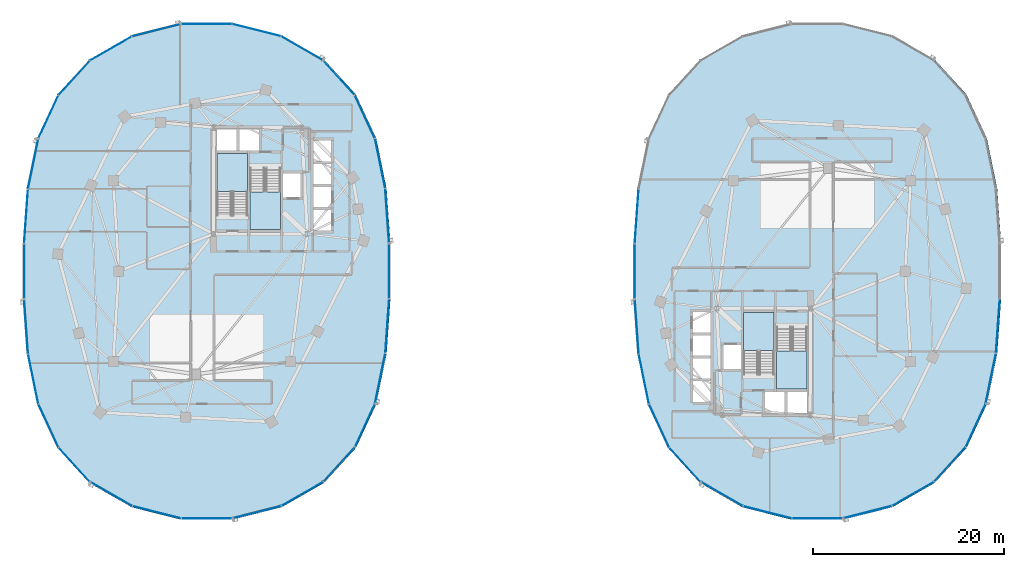
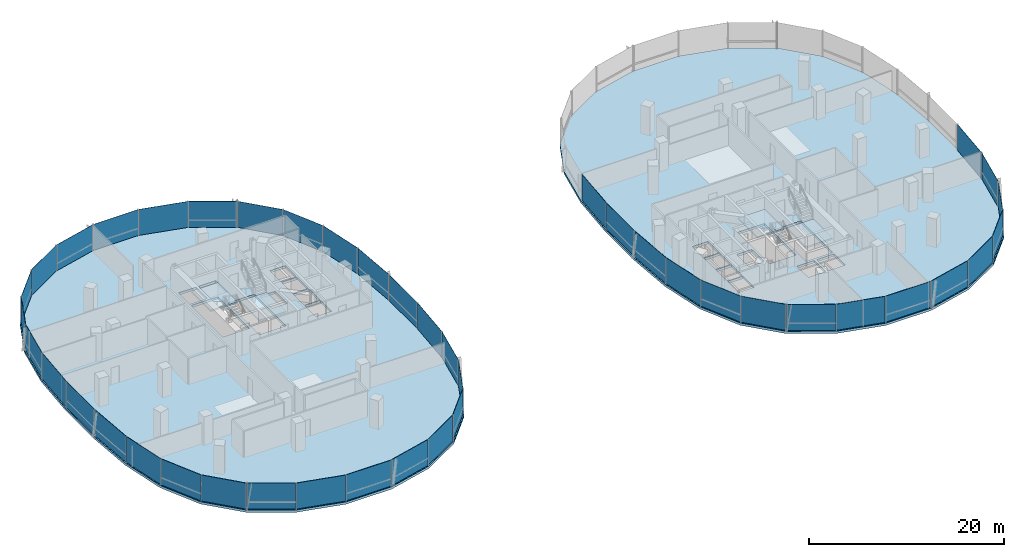
# One storey, part 9 of 21: 43 plates, 6 slabs, 11 elements without a shape of their own.
"""IFC4 building model written with IfcOpenShell, lengths in metres."""

from ifc_helpers import new_model, si_unit, direction, frame, origin, origin_2d, place, context, subcontext, project, spatial, polyline, rectangle, outline, extrude, material, layer, layer_set, type_object, element, aggregate, save


model = new_model("IFC4")

# Units and contexts
model_context = context("Model", 3, precision=1e-05, world=origin(), true_north=direction((0.0, 1.0)))
body_context = subcontext(model_context, "Body", "Model", "MODEL_VIEW")
ifc_project = project(units=[si_unit("LENGTHUNIT", "METRE"), si_unit("AREAUNIT", "SQUARE_METRE"), si_unit("VOLUMEUNIT", "CUBIC_METRE"), si_unit("PLANEANGLEUNIT", "RADIAN"), si_unit("MASSUNIT", "GRAM", prefix="KILO"), si_unit("THERMODYNAMICTEMPERATUREUNIT", "KELVIN"), si_unit("POWERUNIT", "WATT")], contexts=[model_context])

# Site, building, storey
site_placement = place(None, origin())
site = spatial("IfcSite", under=ifc_project, at=site_placement, CompositionType="ELEMENT")
building_placement = place(site_placement, origin())
building = spatial("IfcBuilding", under=site, at=building_placement, Name="Cundina Bronze Exchange", CompositionType="ELEMENT")
storey_placement = place(building_placement, frame((0.0, 0.0, 103.39990234375)))
storey = spatial("IfcBuildingStorey", under=building, at=storey_placement, Name="L26", CompositionType="ELEMENT", Elevation=103.39990234375)

# Curtain wall, plates
ifc_material_1 = material(Name="Anodised Bronze Aluminium 6063-T6", Category="aluminium")
curtain_wall_type = type_object("IfcCurtainWallType", Name="CWS-TRD-MID", PredefinedType="NOTDEFINED", material=ifc_material_1)
curtain_wall_1_placement = place(storey_placement, origin())
curtain_wall_1 = element("IfcCurtainWall", 1, at=curtain_wall_1_placement, inside=storey, type_object=curtain_wall_type, Name="L26 CW-03 Curtain Wall Run CWR-L26-W1", PredefinedType="NOTDEFINED")
ifc_material_2 = material(Name="Heat-Strengthened Solar-Control Bronze Safety Glass 28mm", Category="glass")
ifc_layer_1 = layer(ifc_material_2, 0.028076171875, Name="Heat-Strengthened Solar-Control Bronze Safety Glass 28mm", Category="glass")
ifc_layer_set_1 = layer_set([ifc_layer_1], Name="Heat-Strengthened Solar-Control Bronze Safety Glass 28mm")
plate_type_1 = type_object("IfcPlateType", Name="PLT-GLZ-VIS28", PredefinedType="CURTAIN_PANEL", material=ifc_layer_set_1)
plate_1_placement = place(storey_placement, frame((-13.0732421875, 5.783935546875, 0.02001953125), z_axis=(0.0, 0.0, 1.0), x_axis=(-0.070278787473, 0.997527389113, 0.0)))
plate_1 = element("IfcPlate", 2, at=plate_1_placement, type_object=plate_type_1, Name="CW-03 Glazed Panel 1", PredefinedType="CURTAIN_PANEL", context=body_context, shape_type="SweptSolid", body=[
    extrude(rectangle(XDim=5.644287109375, YDim=0.028076171875, at=origin_2d()), origin(), (0.0, 0.0, 1.0), 3.260009765625),
])
plate_2_placement = place(storey_placement, frame((-13.81591796875, 11.269775390625, 0.02001953125), z_axis=(0.0, 0.0, 1.0), x_axis=(-0.201419845156, 0.979505000486, 0.0)))
plate_2 = element("IfcPlate", 3, at=plate_2_placement, type_object=plate_type_1, Name="CW-03 Glazed Panel 2", PredefinedType="CURTAIN_PANEL", context=body_context, shape_type="SweptSolid", body=[
    extrude(rectangle(XDim=5.306640625, YDim=0.028076171875, at=origin_2d()), origin(), (0.0, 0.0, 1.0), 3.260009765625),
])
plate_3_placement = place(storey_placement, frame((-15.413818359375, 16.177734375, 0.02001953125), z_axis=(0.0, 0.0, 1.0), x_axis=(-0.42084583328, 0.907132175932, 0.0)))
plate_3 = element("IfcPlate", 4, at=plate_3_placement, type_object=plate_type_1, Name="CW-03 Glazed Panel 3", PredefinedType="CURTAIN_PANEL", context=body_context, shape_type="SweptSolid", body=[
    extrude(rectangle(XDim=4.966552734375, YDim=0.028076171875, at=origin_2d()), origin(), (0.0, 0.0, 1.0), 3.260009765625),
])
plate_4_placement = place(storey_placement, frame((-21.980712890625, 23.34423828125, 0.02001953125), z_axis=(0.0, 0.0, 1.0), x_axis=(-0.867105478933, 0.498124571171, 0.0)))
plate_4 = element("IfcPlate", 5, at=plate_4_placement, type_object=plate_type_1, Name="CW-03 Glazed Panel 5", PredefinedType="CURTAIN_PANEL", context=body_context, shape_type="SweptSolid", body=[
    extrude(rectangle(XDim=5.021240234375, YDim=0.028076171875, at=origin_2d()), origin(), (0.0, 0.0, 1.0), 3.260009765625),
])
plate_5_placement = place(storey_placement, frame((-26.744384765625, 25.256591796875, 0.02001953125), z_axis=(0.0, 0.0, 1.0), x_axis=(-0.969488149345, 0.245138182011, 0.0)))
plate_5 = element("IfcPlate", 6, at=plate_5_placement, type_object=plate_type_1, Name="CW-03 Glazed Panel 6", PredefinedType="CURTAIN_PANEL", context=body_context, shape_type="SweptSolid", body=[
    extrude(rectangle(XDim=5.2333984375, YDim=0.028076171875, at=origin_2d()), origin(), (0.0, 0.0, 1.0), 3.260009765625),
])
plate_6_placement = place(storey_placement, frame((-32.0, 25.905029296875, 0.02001953125), z_axis=(0.0, 0.0, 1.0), x_axis=(-1.0, 0.0, 0.0)))
plate_6 = element("IfcPlate", 7, at=plate_6_placement, type_object=plate_type_1, Name="CW-03 Glazed Panel 7", PredefinedType="CURTAIN_PANEL", context=body_context, shape_type="SweptSolid", body=[
    extrude(rectangle(XDim=5.323974609375, YDim=0.028076171875, at=origin_2d()), origin(), (0.0, 0.0, 1.0), 3.260009765625),
])

curtain_wall_2_placement = place(storey_placement, origin())
curtain_wall_2 = element("IfcCurtainWall", 8, at=curtain_wall_2_placement, inside=storey, type_object=curtain_wall_type, Name="L26 CW-03 Curtain Wall Run CWR-L26-W2", PredefinedType="NOTDEFINED")
plate_7_placement = place(storey_placement, frame((-37.255615234375, 25.256591796875, 0.02001953125), z_axis=(0.0, 0.0, 1.0), x_axis=(-0.969488149345, -0.245138182011, 0.0)))
plate_7 = element("IfcPlate", 9, at=plate_7_placement, type_object=plate_type_1, Name="CW-03 Glazed Panel 1", PredefinedType="CURTAIN_PANEL", context=body_context, shape_type="SweptSolid", body=[
    extrude(rectangle(XDim=5.2333984375, YDim=0.028076171875, at=origin_2d()), origin(), (0.0, 0.0, 1.0), 3.260009765625),
])
plate_8_placement = place(storey_placement, frame((-42.019287109375, 23.34423828125, 0.02001953125), z_axis=(0.0, 0.0, 1.0), x_axis=(-0.867105478933, -0.498124571171, 0.0)))
plate_8 = element("IfcPlate", 10, at=plate_8_placement, type_object=plate_type_1, Name="CW-03 Glazed Panel 2", PredefinedType="CURTAIN_PANEL", context=body_context, shape_type="SweptSolid", body=[
    extrude(rectangle(XDim=5.021240234375, YDim=0.028076171875, at=origin_2d()), origin(), (0.0, 0.0, 1.0), 3.260009765625),
])
plate_9_placement = place(storey_placement, frame((-48.586181640625, 16.177734375, 0.02001953125), z_axis=(0.0, 0.0, 1.0), x_axis=(-0.42084583328, -0.907132175932, 0.0)))
plate_9 = element("IfcPlate", 11, at=plate_9_placement, type_object=plate_type_1, Name="CW-03 Glazed Panel 4", PredefinedType="CURTAIN_PANEL", context=body_context, shape_type="SweptSolid", body=[
    extrude(rectangle(XDim=4.966552734375, YDim=0.028076171875, at=origin_2d()), origin(), (0.0, 0.0, 1.0), 3.260009765625),
])
plate_10_placement = place(storey_placement, frame((-50.18408203125, 11.269775390625, 0.02001953125), z_axis=(0.0, 0.0, 1.0), x_axis=(-0.201419845156, -0.979505000486, 0.0)))
plate_10 = element("IfcPlate", 12, at=plate_10_placement, type_object=plate_type_1, Name="CW-03 Glazed Panel 5", PredefinedType="CURTAIN_PANEL", context=body_context, shape_type="SweptSolid", body=[
    extrude(rectangle(XDim=5.306640625, YDim=0.028076171875, at=origin_2d()), origin(), (0.0, 0.0, 1.0), 3.260009765625),
])
plate_11_placement = place(storey_placement, frame((-50.9267578125, 5.783935546875, 0.02001953125), z_axis=(0.0, 0.0, 1.0), x_axis=(-0.070278787473, -0.997527389113, 0.0)))
plate_11 = element("IfcPlate", 13, at=plate_11_placement, type_object=plate_type_1, Name="CW-03 Glazed Panel 6", PredefinedType="CURTAIN_PANEL", context=body_context, shape_type="SweptSolid", body=[
    extrude(rectangle(XDim=5.644287109375, YDim=0.028076171875, at=origin_2d()), origin(), (0.0, 0.0, 1.0), 3.260009765625),
])
plate_12_placement = place(storey_placement, frame((-51.1279296875, 0.0, 0.02001953125), z_axis=(0.0, 0.0, 1.0), x_axis=(0.0, -1.0, 0.0)))
plate_12 = element("IfcPlate", 14, at=plate_12_placement, type_object=plate_type_1, Name="CW-03 Glazed Panel 7", PredefinedType="CURTAIN_PANEL", context=body_context, shape_type="SweptSolid", body=[
    extrude(rectangle(XDim=5.77587890625, YDim=0.028076171875, at=origin_2d()), origin(), (0.0, 0.0, 1.0), 3.260009765625),
])

curtain_wall_3_placement = place(storey_placement, origin())
curtain_wall_3 = element("IfcCurtainWall", 15, at=curtain_wall_3_placement, inside=storey, type_object=curtain_wall_type, Name="L26 CW-03 Curtain Wall Run CWR-L26-W3", PredefinedType="NOTDEFINED")
plate_13_placement = place(storey_placement, frame((-50.9267578125, -5.783935546875, 0.02001953125), z_axis=(0.0, 0.0, 1.0), x_axis=(0.070278787473, -0.997527389113, 0.0)))
plate_13 = element("IfcPlate", 16, at=plate_13_placement, type_object=plate_type_1, Name="CW-03 Glazed Panel 1", PredefinedType="CURTAIN_PANEL", context=body_context, shape_type="SweptSolid", body=[
    extrude(rectangle(XDim=5.644287109375, YDim=0.028076171875, at=origin_2d()), origin(), (0.0, 0.0, 1.0), 3.260009765625),
])
plate_14_placement = place(storey_placement, frame((-48.586181640625, -16.177734375, 0.02001953125), z_axis=(0.0, 0.0, 1.0), x_axis=(0.42084583328, -0.907132175932, 0.0)))
plate_14 = element("IfcPlate", 17, at=plate_14_placement, type_object=plate_type_1, Name="CW-03 Glazed Panel 3", PredefinedType="CURTAIN_PANEL", context=body_context, shape_type="SweptSolid", body=[
    extrude(rectangle(XDim=4.966552734375, YDim=0.028076171875, at=origin_2d()), origin(), (0.0, 0.0, 1.0), 3.260009765625),
])
plate_15_placement = place(storey_placement, frame((-45.8740234375, -20.267333984375, 0.02001953125), z_axis=(0.0, 0.0, 1.0), x_axis=(0.674276610219, -0.73847887777, 0.0)))
plate_15 = element("IfcPlate", 18, at=plate_15_placement, type_object=plate_type_1, Name="CW-03 Glazed Panel 4", PredefinedType="CURTAIN_PANEL", context=body_context, shape_type="SweptSolid", body=[
    extrude(rectangle(XDim=4.86328125, YDim=0.028076171875, at=origin_2d()), origin(), (0.0, 0.0, 1.0), 3.260009765625),
])
plate_16_placement = place(storey_placement, frame((-42.019287109375, -23.34423828125, 0.02001953125), z_axis=(0.0, 0.0, 1.0), x_axis=(0.867105478933, -0.498124571171, 0.0)))
plate_16 = element("IfcPlate", 19, at=plate_16_placement, type_object=plate_type_1, Name="CW-03 Glazed Panel 5", PredefinedType="CURTAIN_PANEL", context=body_context, shape_type="SweptSolid", body=[
    extrude(rectangle(XDim=5.021240234375, YDim=0.028076171875, at=origin_2d()), origin(), (0.0, 0.0, 1.0), 3.260009765625),
])
plate_17_placement = place(storey_placement, frame((-37.255615234375, -25.256591796875, 0.02001953125), z_axis=(0.0, 0.0, 1.0), x_axis=(0.969488149345, -0.245138182011, 0.0)))
plate_17 = element("IfcPlate", 20, at=plate_17_placement, type_object=plate_type_1, Name="CW-03 Glazed Panel 6", PredefinedType="CURTAIN_PANEL", context=body_context, shape_type="SweptSolid", body=[
    extrude(rectangle(XDim=5.2333984375, YDim=0.028076171875, at=origin_2d()), origin(), (0.0, 0.0, 1.0), 3.260009765625),
])

curtain_wall_4_placement = place(storey_placement, origin())
curtain_wall_4 = element("IfcCurtainWall", 21, at=curtain_wall_4_placement, inside=storey, type_object=curtain_wall_type, Name="L26 CW-03 Curtain Wall Run CWR-L26-W4", PredefinedType="NOTDEFINED")
plate_18_placement = place(storey_placement, frame((-21.980712890625, -23.34423828125, 0.02001953125), z_axis=(0.0, 0.0, 1.0), x_axis=(0.867105478933, 0.498124571171, 0.0)))
plate_18 = element("IfcPlate", 22, at=plate_18_placement, type_object=plate_type_1, Name="CW-03 Glazed Panel 2", PredefinedType="CURTAIN_PANEL", context=body_context, shape_type="SweptSolid", body=[
    extrude(rectangle(XDim=5.021240234375, YDim=0.028076171875, at=origin_2d()), origin(), (0.0, 0.0, 1.0), 3.260009765625),
])
plate_19_placement = place(storey_placement, frame((-18.1259765625, -20.267333984375, 0.02001953125), z_axis=(0.0, 0.0, 1.0), x_axis=(0.674276610219, 0.73847887777, 0.0)))
plate_19 = element("IfcPlate", 23, at=plate_19_placement, type_object=plate_type_1, Name="CW-03 Glazed Panel 3", PredefinedType="CURTAIN_PANEL", context=body_context, shape_type="SweptSolid", body=[
    extrude(rectangle(XDim=4.86328125, YDim=0.028076171875, at=origin_2d()), origin(), (0.0, 0.0, 1.0), 3.260009765625),
])
plate_20_placement = place(storey_placement, frame((-15.413818359375, -16.177734375, 0.02001953125), z_axis=(0.0, 0.0, 1.0), x_axis=(0.42084583328, 0.907132175932, 0.0)))
plate_20 = element("IfcPlate", 24, at=plate_20_placement, type_object=plate_type_1, Name="CW-03 Glazed Panel 4", PredefinedType="CURTAIN_PANEL", context=body_context, shape_type="SweptSolid", body=[
    extrude(rectangle(XDim=4.966552734375, YDim=0.028076171875, at=origin_2d()), origin(), (0.0, 0.0, 1.0), 3.260009765625),
])
plate_21_placement = place(storey_placement, frame((-13.81591796875, -11.269775390625, 0.02001953125), z_axis=(0.0, 0.0, 1.0), x_axis=(0.201419845156, 0.979505000486, 0.0)))
plate_21 = element("IfcPlate", 25, at=plate_21_placement, type_object=plate_type_1, Name="CW-03 Glazed Panel 5", PredefinedType="CURTAIN_PANEL", context=body_context, shape_type="SweptSolid", body=[
    extrude(rectangle(XDim=5.306640625, YDim=0.028076171875, at=origin_2d()), origin(), (0.0, 0.0, 1.0), 3.260009765625),
])
plate_22_placement = place(storey_placement, frame((-12.8720703125, 0.0, 0.02001953125), z_axis=(0.0, 0.0, 1.0), x_axis=(0.0, 1.0, 0.0)))
plate_22 = element("IfcPlate", 26, at=plate_22_placement, type_object=plate_type_1, Name="CW-03 Glazed Panel 7", PredefinedType="CURTAIN_PANEL", context=body_context, shape_type="SweptSolid", body=[
    extrude(rectangle(XDim=5.77587890625, YDim=0.028076171875, at=origin_2d()), origin(), (0.0, 0.0, 1.0), 3.260009765625),
])

curtain_wall_5_placement = place(storey_placement, origin())
curtain_wall_5 = element("IfcCurtainWall", 27, at=curtain_wall_5_placement, inside=storey, type_object=curtain_wall_type, Name="L26 CW-03 Curtain Wall Run CWR-L26-E2", PredefinedType="NOTDEFINED")
plate_23_placement = place(storey_placement, frame((13.0732421875, 5.783935546875, 0.02001953125), z_axis=(0.0, 0.0, 1.0), x_axis=(-0.070278787473, -0.997527389113, 0.0)))
plate_23 = element("IfcPlate", 28, at=plate_23_placement, type_object=plate_type_1, Name="CW-03 Glazed Panel 6", PredefinedType="CURTAIN_PANEL", context=body_context, shape_type="SweptSolid", body=[
    extrude(rectangle(XDim=5.644287109375, YDim=0.028076171875, at=origin_2d()), origin(), (0.0, 0.0, 1.0), 3.260009765625),
])
plate_24_placement = place(storey_placement, frame((12.8720703125, 0.0, 0.02001953125), z_axis=(0.0, 0.0, 1.0), x_axis=(0.0, -1.0, 0.0)))
plate_24 = element("IfcPlate", 29, at=plate_24_placement, type_object=plate_type_1, Name="CW-03 Glazed Panel 7", PredefinedType="CURTAIN_PANEL", context=body_context, shape_type="SweptSolid", body=[
    extrude(rectangle(XDim=5.77587890625, YDim=0.028076171875, at=origin_2d()), origin(), (0.0, 0.0, 1.0), 3.260009765625),
])
aggregate(curtain_wall_5, [plate_23, plate_24])

curtain_wall_6_placement = place(storey_placement, origin())
curtain_wall_6 = element("IfcCurtainWall", 30, at=curtain_wall_6_placement, inside=storey, type_object=curtain_wall_type, Name="L26 CW-03 Curtain Wall Run CWR-L26-E3", PredefinedType="NOTDEFINED")
plate_25_placement = place(storey_placement, frame((13.0732421875, -5.783935546875, 0.02001953125), z_axis=(0.0, 0.0, 1.0), x_axis=(0.070278787473, -0.997527389113, 0.0)))
plate_25 = element("IfcPlate", 31, at=plate_25_placement, type_object=plate_type_1, Name="CW-03 Glazed Panel 1", PredefinedType="CURTAIN_PANEL", context=body_context, shape_type="SweptSolid", body=[
    extrude(rectangle(XDim=5.644287109375, YDim=0.028076171875, at=origin_2d()), origin(), (0.0, 0.0, 1.0), 3.260009765625),
])
plate_26_placement = place(storey_placement, frame((15.413818359375, -16.177734375, 0.02001953125), z_axis=(0.0, 0.0, 1.0), x_axis=(0.42084583328, -0.907132175932, 0.0)))
plate_26 = element("IfcPlate", 32, at=plate_26_placement, type_object=plate_type_1, Name="CW-03 Glazed Panel 3", PredefinedType="CURTAIN_PANEL", context=body_context, shape_type="SweptSolid", body=[
    extrude(rectangle(XDim=4.966552734375, YDim=0.028076171875, at=origin_2d()), origin(), (0.0, 0.0, 1.0), 3.260009765625),
])
plate_27_placement = place(storey_placement, frame((18.1259765625, -20.267333984375, 0.02001953125), z_axis=(0.0, 0.0, 1.0), x_axis=(0.674276610219, -0.73847887777, 0.0)))
plate_27 = element("IfcPlate", 33, at=plate_27_placement, type_object=plate_type_1, Name="CW-03 Glazed Panel 4", PredefinedType="CURTAIN_PANEL", context=body_context, shape_type="SweptSolid", body=[
    extrude(rectangle(XDim=4.86328125, YDim=0.028076171875, at=origin_2d()), origin(), (0.0, 0.0, 1.0), 3.260009765625),
])
plate_28_placement = place(storey_placement, frame((21.980712890625, -23.34423828125, 0.02001953125), z_axis=(0.0, 0.0, 1.0), x_axis=(0.867105478933, -0.498124571171, 0.0)))
plate_28 = element("IfcPlate", 34, at=plate_28_placement, type_object=plate_type_1, Name="CW-03 Glazed Panel 5", PredefinedType="CURTAIN_PANEL", context=body_context, shape_type="SweptSolid", body=[
    extrude(rectangle(XDim=5.021240234375, YDim=0.028076171875, at=origin_2d()), origin(), (0.0, 0.0, 1.0), 3.260009765625),
])
plate_29_placement = place(storey_placement, frame((26.744384765625, -25.256591796875, 0.02001953125), z_axis=(0.0, 0.0, 1.0), x_axis=(0.969488149345, -0.245138182011, 0.0)))
plate_29 = element("IfcPlate", 35, at=plate_29_placement, type_object=plate_type_1, Name="CW-03 Glazed Panel 6", PredefinedType="CURTAIN_PANEL", context=body_context, shape_type="SweptSolid", body=[
    extrude(rectangle(XDim=5.2333984375, YDim=0.028076171875, at=origin_2d()), origin(), (0.0, 0.0, 1.0), 3.260009765625),
])

curtain_wall_7_placement = place(storey_placement, origin())
curtain_wall_7 = element("IfcCurtainWall", 36, at=curtain_wall_7_placement, inside=storey, type_object=curtain_wall_type, Name="L26 CW-03 Curtain Wall Run CWR-L26-E4", PredefinedType="NOTDEFINED")
plate_30_placement = place(storey_placement, frame((42.019287109375, -23.34423828125, 0.02001953125), z_axis=(0.0, 0.0, 1.0), x_axis=(0.867105478933, 0.498124571171, 0.0)))
plate_30 = element("IfcPlate", 37, at=plate_30_placement, type_object=plate_type_1, Name="CW-03 Glazed Panel 2", PredefinedType="CURTAIN_PANEL", context=body_context, shape_type="SweptSolid", body=[
    extrude(rectangle(XDim=5.021240234375, YDim=0.028076171875, at=origin_2d()), origin(), (0.0, 0.0, 1.0), 3.260009765625),
])
plate_31_placement = place(storey_placement, frame((45.8740234375, -20.267333984375, 0.02001953125), z_axis=(0.0, 0.0, 1.0), x_axis=(0.674276610219, 0.73847887777, 0.0)))
plate_31 = element("IfcPlate", 38, at=plate_31_placement, type_object=plate_type_1, Name="CW-03 Glazed Panel 3", PredefinedType="CURTAIN_PANEL", context=body_context, shape_type="SweptSolid", body=[
    extrude(rectangle(XDim=4.86328125, YDim=0.028076171875, at=origin_2d()), origin(), (0.0, 0.0, 1.0), 3.260009765625),
])
plate_32_placement = place(storey_placement, frame((48.586181640625, -16.177734375, 0.02001953125), z_axis=(0.0, 0.0, 1.0), x_axis=(0.42084583328, 0.907132175932, 0.0)))
plate_32 = element("IfcPlate", 39, at=plate_32_placement, type_object=plate_type_1, Name="CW-03 Glazed Panel 4", PredefinedType="CURTAIN_PANEL", context=body_context, shape_type="SweptSolid", body=[
    extrude(rectangle(XDim=4.966552734375, YDim=0.028076171875, at=origin_2d()), origin(), (0.0, 0.0, 1.0), 3.260009765625),
])
plate_33_placement = place(storey_placement, frame((50.18408203125, -11.269775390625, 0.02001953125), z_axis=(0.0, 0.0, 1.0), x_axis=(0.201419845156, 0.979505000486, 0.0)))
plate_33 = element("IfcPlate", 40, at=plate_33_placement, type_object=plate_type_1, Name="CW-03 Glazed Panel 5", PredefinedType="CURTAIN_PANEL", context=body_context, shape_type="SweptSolid", body=[
    extrude(rectangle(XDim=5.306640625, YDim=0.028076171875, at=origin_2d()), origin(), (0.0, 0.0, 1.0), 3.260009765625),
])

# Plate
ifc_material_3 = material(Name="Dark Bronze Spandrel Glass Panel 32mm", Category="glass")
ifc_layer_2 = layer(ifc_material_3, 0.031982421875, Name="Dark Bronze Spandrel Glass Panel 32mm", Category="glass")
ifc_layer_set_2 = layer_set([ifc_layer_2], Name="Dark Bronze Spandrel Glass Panel 32mm")
plate_type_2 = type_object("IfcPlateType", Name="PLT-SPN-BRZ32", PredefinedType="CURTAIN_PANEL", material=ifc_layer_set_2)
plate_34_placement = place(storey_placement, frame((-18.1259765625, 20.267333984375, 0.02001953125), z_axis=(0.0, 0.0, 1.0), x_axis=(-0.674276610219, 0.73847887777, 0.0)))
plate_34 = element("IfcPlate", 41, at=plate_34_placement, type_object=plate_type_2, Name="CW-03 Glazed Panel 4", PredefinedType="CURTAIN_PANEL", context=body_context, shape_type="SweptSolid", body=[
    extrude(rectangle(XDim=4.86328125, YDim=0.031982421875, at=origin_2d()), origin(), (0.0, 0.0, 1.0), 3.260009765625),
])

aggregate(curtain_wall_1, [plate_1, plate_2, plate_3, plate_34, plate_4, plate_5, plate_6])

plate_35_placement = place(storey_placement, frame((-45.8740234375, 20.267333984375, 0.02001953125), z_axis=(0.0, 0.0, 1.0), x_axis=(-0.674276610219, -0.73847887777, 0.0)))
plate_35 = element("IfcPlate", 42, at=plate_35_placement, type_object=plate_type_2, Name="CW-03 Glazed Panel 3", PredefinedType="CURTAIN_PANEL", context=body_context, shape_type="SweptSolid", body=[
    extrude(rectangle(XDim=4.86328125, YDim=0.031982421875, at=origin_2d()), origin(), (0.0, 0.0, 1.0), 3.260009765625),
])

aggregate(curtain_wall_2, [plate_7, plate_8, plate_35, plate_9, plate_10, plate_11, plate_12])

plate_36_placement = place(storey_placement, frame((-50.18408203125, -11.269775390625, 0.02001953125), z_axis=(0.0, 0.0, 1.0), x_axis=(0.201419845156, -0.979505000486, 0.0)))
plate_36 = element("IfcPlate", 43, at=plate_36_placement, type_object=plate_type_2, Name="CW-03 Glazed Panel 2", PredefinedType="CURTAIN_PANEL", context=body_context, shape_type="SweptSolid", body=[
    extrude(rectangle(XDim=5.306640625, YDim=0.031982421875, at=origin_2d()), origin(), (0.0, 0.0, 1.0), 3.260009765625),
])

plate_37_placement = place(storey_placement, frame((-32.0, -25.905029296875, 0.02001953125), z_axis=(0.0, 0.0, 1.0), x_axis=(1.0, 0.0, 0.0)))
plate_37 = element("IfcPlate", 44, at=plate_37_placement, type_object=plate_type_2, Name="CW-03 Glazed Panel 7", PredefinedType="CURTAIN_PANEL", context=body_context, shape_type="SweptSolid", body=[
    extrude(rectangle(XDim=5.323974609375, YDim=0.031982421875, at=origin_2d()), origin(), (0.0, 0.0, 1.0), 3.260009765625),
])

aggregate(curtain_wall_3, [plate_13, plate_36, plate_14, plate_15, plate_16, plate_17, plate_37])

plate_38_placement = place(storey_placement, frame((-26.744384765625, -25.256591796875, 0.02001953125), z_axis=(0.0, 0.0, 1.0), x_axis=(0.969488149345, 0.245138182011, 0.0)))
plate_38 = element("IfcPlate", 45, at=plate_38_placement, type_object=plate_type_2, Name="CW-03 Glazed Panel 1", PredefinedType="CURTAIN_PANEL", context=body_context, shape_type="SweptSolid", body=[
    extrude(rectangle(XDim=5.2333984375, YDim=0.031982421875, at=origin_2d()), origin(), (0.0, 0.0, 1.0), 3.260009765625),
])

plate_39_placement = place(storey_placement, frame((-13.0732421875, -5.783935546875, 0.02001953125), z_axis=(0.0, 0.0, 1.0), x_axis=(0.070278787473, 0.997527389113, 0.0)))
plate_39 = element("IfcPlate", 46, at=plate_39_placement, type_object=plate_type_2, Name="CW-03 Glazed Panel 6", PredefinedType="CURTAIN_PANEL", context=body_context, shape_type="SweptSolid", body=[
    extrude(rectangle(XDim=5.644287109375, YDim=0.031982421875, at=origin_2d()), origin(), (0.0, 0.0, 1.0), 3.260009765625),
])

aggregate(curtain_wall_4, [plate_38, plate_18, plate_19, plate_20, plate_21, plate_39, plate_22])

plate_40_placement = place(storey_placement, frame((13.81591796875, -11.269775390625, 0.02001953125), z_axis=(0.0, 0.0, 1.0), x_axis=(0.201419845156, -0.979505000486, 0.0)))
plate_40 = element("IfcPlate", 47, at=plate_40_placement, type_object=plate_type_2, Name="CW-03 Glazed Panel 2", PredefinedType="CURTAIN_PANEL", context=body_context, shape_type="SweptSolid", body=[
    extrude(rectangle(XDim=5.306640625, YDim=0.031982421875, at=origin_2d()), origin(), (0.0, 0.0, 1.0), 3.260009765625),
])

plate_41_placement = place(storey_placement, frame((32.0, -25.905029296875, 0.02001953125), z_axis=(0.0, 0.0, 1.0), x_axis=(1.0, 0.0, 0.0)))
plate_41 = element("IfcPlate", 48, at=plate_41_placement, type_object=plate_type_2, Name="CW-03 Glazed Panel 7", PredefinedType="CURTAIN_PANEL", context=body_context, shape_type="SweptSolid", body=[
    extrude(rectangle(XDim=5.323974609375, YDim=0.031982421875, at=origin_2d()), origin(), (0.0, 0.0, 1.0), 3.260009765625),
])

aggregate(curtain_wall_6, [plate_25, plate_40, plate_26, plate_27, plate_28, plate_29, plate_41])

plate_42_placement = place(storey_placement, frame((37.255615234375, -25.256591796875, 0.02001953125), z_axis=(0.0, 0.0, 1.0), x_axis=(0.969488149345, 0.245138182011, 0.0)))
plate_42 = element("IfcPlate", 49, at=plate_42_placement, type_object=plate_type_2, Name="CW-03 Glazed Panel 1", PredefinedType="CURTAIN_PANEL", context=body_context, shape_type="SweptSolid", body=[
    extrude(rectangle(XDim=5.2333984375, YDim=0.031982421875, at=origin_2d()), origin(), (0.0, 0.0, 1.0), 3.260009765625),
])

plate_43_placement = place(storey_placement, frame((50.9267578125, -5.783935546875, 0.02001953125), z_axis=(0.0, 0.0, 1.0), x_axis=(0.070278787473, 0.997527389113, 0.0)))
plate_43 = element("IfcPlate", 50, at=plate_43_placement, type_object=plate_type_2, Name="CW-03 Glazed Panel 6", PredefinedType="CURTAIN_PANEL", context=body_context, shape_type="SweptSolid", body=[
    extrude(rectangle(XDim=5.644287109375, YDim=0.031982421875, at=origin_2d()), origin(), (0.0, 0.0, 1.0), 3.260009765625),
])

aggregate(curtain_wall_7, [plate_42, plate_30, plate_31, plate_32, plate_33, plate_43])

# Stair, slab
ifc_material_4 = material(Name="Concrete C40/50", Category="concrete")
stair_type = type_object("IfcStairType", Name="STR-OFF-360", PredefinedType="HALF_TURN_STAIR", material=ifc_material_4)
stair_1_placement = place(storey_placement, origin())
stair_1 = element("IfcStair", 51, at=stair_1_placement, inside=storey, type_object=stair_type, Name="L26 Smokeproof Exit Stair W1", PredefinedType="HALF_TURN_STAIR")
ifc_layer_3 = layer(ifc_material_4, 0.199951171875, Name="Concrete C40/50", Category="concrete")
ifc_layer_set_3 = layer_set([ifc_layer_3], Name="Concrete C40/50")
slab_type_1 = type_object("IfcSlabType", Name="SLB-LND-200", PredefinedType="LANDING", material=ifc_layer_set_3)
slab_1_placement = place(storey_placement, frame((0.0, 0.0, 1.60009765625)))
slab_1 = element("IfcSlab", 52, at=slab_1_placement, type_object=slab_type_1, Name="ST-W1 landing 1", PredefinedType="LANDING", context=body_context, shape_type="SweptSolid", body=[
    extrude(outline(polyline([(-27.739990234375, 8.3701171875), (-27.739990234375, 12.35009765625), (-30.89990234375, 12.35009765625), (-30.89990234375, 8.3701171875), (-27.739990234375, 8.3701171875)])), origin(), (0.0, 0.0, 1.0), 0.199951171875),
])
aggregate(stair_1, [slab_1])

stair_2_placement = place(storey_placement, origin())
stair_2 = element("IfcStair", 53, at=stair_2_placement, inside=storey, type_object=stair_type, Name="L26 Smokeproof Exit Stair W2", PredefinedType="HALF_TURN_STAIR")
slab_2_placement = place(storey_placement, frame((0.0, 0.0, 1.60009765625)))
slab_2 = element("IfcSlab", 54, at=slab_2_placement, type_object=slab_type_1, Name="ST-W2 landing 1", PredefinedType="LANDING", context=body_context, shape_type="SweptSolid", body=[
    extrude(outline(polyline([(-27.43994140625, 8.330078125), (-27.43994140625, 4.35009765625), (-24.280029296875, 4.35009765625), (-24.280029296875, 8.330078125), (-27.43994140625, 8.330078125)])), origin(), (0.0, 0.0, 1.0), 0.199951171875),
])
aggregate(stair_2, [slab_2])

stair_3_placement = place(storey_placement, origin())
stair_3 = element("IfcStair", 55, at=stair_3_placement, inside=storey, type_object=stair_type, Name="L26 Smokeproof Exit Stair E1", PredefinedType="HALF_TURN_STAIR")
slab_3_placement = place(storey_placement, frame((0.0, 0.0, 1.60009765625)))
slab_3 = element("IfcSlab", 56, at=slab_3_placement, type_object=slab_type_1, Name="ST-E1 landing 1", PredefinedType="LANDING", context=body_context, shape_type="SweptSolid", body=[
    extrude(outline(polyline([(27.739990234375, -8.3701171875), (27.739990234375, -12.35009765625), (30.89990234375, -12.35009765625), (30.89990234375, -8.3701171875), (27.739990234375, -8.3701171875)])), origin(), (0.0, 0.0, 1.0), 0.199951171875),
])
aggregate(stair_3, [slab_3])

stair_4_placement = place(storey_placement, origin())
stair_4 = element("IfcStair", 57, at=stair_4_placement, inside=storey, type_object=stair_type, Name="L26 Smokeproof Exit Stair E2", PredefinedType="HALF_TURN_STAIR")
slab_4_placement = place(storey_placement, frame((0.0, 0.0, 1.60009765625)))
slab_4 = element("IfcSlab", 58, at=slab_4_placement, type_object=slab_type_1, Name="ST-E2 landing 1", PredefinedType="LANDING", context=body_context, shape_type="SweptSolid", body=[
    extrude(outline(polyline([(27.43994140625, -8.330078125), (27.43994140625, -4.35009765625), (24.280029296875, -4.35009765625), (24.280029296875, -8.330078125), (27.43994140625, -8.330078125)])), origin(), (0.0, 0.0, 1.0), 0.199951171875),
])
aggregate(stair_4, [slab_4])

# Slabs
ifc_material_5 = material(Name="Concrete C50/60", Category="concrete")
ifc_layer_4 = layer(ifc_material_5, 0.300048828125, Name="Concrete C50/60", Category="concrete")
ifc_layer_set_4 = layer_set([ifc_layer_4], Name="Concrete C50/60")
slab_type_2 = type_object("IfcSlabType", Name="SLB-TRD-300", PredefinedType="FLOOR", material=ifc_layer_set_4)
slab_5_placement = place(storey_placement, frame((0.0, 0.0, -0.2998046875)))
element("IfcSlab", 59, at=slab_5_placement, inside=storey, type_object=slab_type_2, Name="L26 Leg W Structural Floor Slab", PredefinedType="FLOOR", context=body_context, shape_type="SweptSolid", body=[
    extrude(outline(polyline([(-12.741943359375, 2.93310546875), (-13.14501953125, 8.653076171875), (-14.23193359375, 13.93896484375), (-16.360107421875, 18.52587890625), (-19.699951171875, 22.18408203125), (-24.132080078125, 24.72998046875), (-29.29296875, 26.034912109375), (-34.70703125, 26.034912109375), (-39.867919921875, 24.72998046875), (-44.300048828125, 22.18408203125), (-47.639892578125, 18.52587890625), (-49.76806640625, 13.93896484375), (-50.85498046875, 8.653076171875), (-51.258056640625, 2.93310546875), (-51.258056640625, -2.93310546875), (-50.85498046875, -8.653076171875), (-49.76806640625, -13.93896484375), (-47.639892578125, -18.52587890625), (-44.300048828125, -22.18408203125), (-39.867919921875, -24.72998046875), (-34.70703125, -26.034912109375), (-29.29296875, -26.034912109375), (-24.132080078125, -24.72998046875), (-19.699951171875, -22.18408203125), (-16.360107421875, -18.52587890625), (-14.23193359375, -13.93896484375), (-13.14501953125, -8.653076171875), (-12.741943359375, -2.93310546875), (-12.741943359375, 2.93310546875)]), holes=[polyline([(-27.739990234375, 5.85009765625), (-27.739990234375, 12.35009765625), (-30.89990234375, 12.35009765625), (-30.89990234375, 5.85009765625), (-27.739990234375, 5.85009765625)]), polyline([(-27.43994140625, 10.85009765625), (-27.43994140625, 4.35009765625), (-24.280029296875, 4.35009765625), (-24.280029296875, 10.85009765625), (-27.43994140625, 10.85009765625)]), polyline([(-23.97998046875, 10.25), (-22.179931640625, 10.25), (-22.179931640625, 7.75), (-23.97998046875, 7.75), (-23.97998046875, 10.25)]), polyline([(-30.89990234375, 14.949951171875), (-28.85009765625, 14.949951171875), (-28.85009765625, 12.64990234375), (-30.89990234375, 12.64990234375), (-30.89990234375, 14.949951171875)]), polyline([(-28.550048828125, 14.949951171875), (-26.5, 14.949951171875), (-26.5, 12.64990234375), (-28.550048828125, 12.64990234375), (-28.550048828125, 14.949951171875)]), polyline([(-20.800048828125, 13.699951171875), (-18.949951171875, 13.699951171875), (-18.949951171875, 11.449951171875), (-20.800048828125, 11.449951171875), (-20.800048828125, 13.699951171875)]), polyline([(-20.800048828125, 11.300048828125), (-18.949951171875, 11.300048828125), (-18.949951171875, 9.050048828125), (-20.800048828125, 9.050048828125), (-20.800048828125, 11.300048828125)]), polyline([(-20.800048828125, 8.89990234375), (-18.949951171875, 8.89990234375), (-18.949951171875, 6.64990234375), (-20.800048828125, 6.64990234375), (-20.800048828125, 8.89990234375)]), polyline([(-20.800048828125, 6.5), (-18.949951171875, 6.5), (-18.949951171875, 4.25), (-20.800048828125, 4.25), (-20.800048828125, 6.5)])]), origin(), (0.0, 0.0, 1.0), 0.2998046875),
])
slab_6_placement = place(storey_placement, frame((0.0, 0.0, -0.2998046875)))
element("IfcSlab", 60, at=slab_6_placement, inside=storey, type_object=slab_type_2, Name="L26 Leg E Structural Floor Slab", PredefinedType="FLOOR", context=body_context, shape_type="SweptSolid", body=[
    extrude(outline(polyline([(51.258056640625, 2.93310546875), (50.85498046875, 8.653076171875), (49.76806640625, 13.93896484375), (47.639892578125, 18.52587890625), (44.300048828125, 22.18408203125), (39.867919921875, 24.72998046875), (34.70703125, 26.034912109375), (29.29296875, 26.034912109375), (24.132080078125, 24.72998046875), (19.699951171875, 22.18408203125), (16.360107421875, 18.52587890625), (14.23193359375, 13.93896484375), (13.14501953125, 8.653076171875), (12.741943359375, 2.93310546875), (12.741943359375, -2.93310546875), (13.14501953125, -8.653076171875), (14.23193359375, -13.93896484375), (16.360107421875, -18.52587890625), (19.699951171875, -22.18408203125), (24.132080078125, -24.72998046875), (29.29296875, -26.034912109375), (34.70703125, -26.034912109375), (39.867919921875, -24.72998046875), (44.300048828125, -22.18408203125), (47.639892578125, -18.52587890625), (49.76806640625, -13.93896484375), (50.85498046875, -8.653076171875), (51.258056640625, -2.93310546875), (51.258056640625, 2.93310546875)]), holes=[polyline([(27.739990234375, -5.85009765625), (27.739990234375, -12.35009765625), (30.89990234375, -12.35009765625), (30.89990234375, -5.85009765625), (27.739990234375, -5.85009765625)]), polyline([(27.43994140625, -10.85009765625), (27.43994140625, -4.35009765625), (24.280029296875, -4.35009765625), (24.280029296875, -10.85009765625), (27.43994140625, -10.85009765625)]), polyline([(22.179931640625, -7.75), (23.97998046875, -7.75), (23.97998046875, -10.25), (22.179931640625, -10.25), (22.179931640625, -7.75)]), polyline([(28.85009765625, -12.64990234375), (30.89990234375, -12.64990234375), (30.89990234375, -14.949951171875), (28.85009765625, -14.949951171875), (28.85009765625, -12.64990234375)]), polyline([(26.5, -12.64990234375), (28.550048828125, -12.64990234375), (28.550048828125, -14.949951171875), (26.5, -14.949951171875), (26.5, -12.64990234375)]), polyline([(18.949951171875, -11.449951171875), (20.800048828125, -11.449951171875), (20.800048828125, -13.699951171875), (18.949951171875, -13.699951171875), (18.949951171875, -11.449951171875)]), polyline([(18.949951171875, -9.050048828125), (20.800048828125, -9.050048828125), (20.800048828125, -11.300048828125), (18.949951171875, -11.300048828125), (18.949951171875, -9.050048828125)]), polyline([(18.949951171875, -6.64990234375), (20.800048828125, -6.64990234375), (20.800048828125, -8.89990234375), (18.949951171875, -8.89990234375), (18.949951171875, -6.64990234375)]), polyline([(18.949951171875, -4.25), (20.800048828125, -4.25), (20.800048828125, -6.5), (18.949951171875, -6.5), (18.949951171875, -4.25)])]), origin(), (0.0, 0.0, 1.0), 0.2998046875),
])

save(model, "model.ifc")
